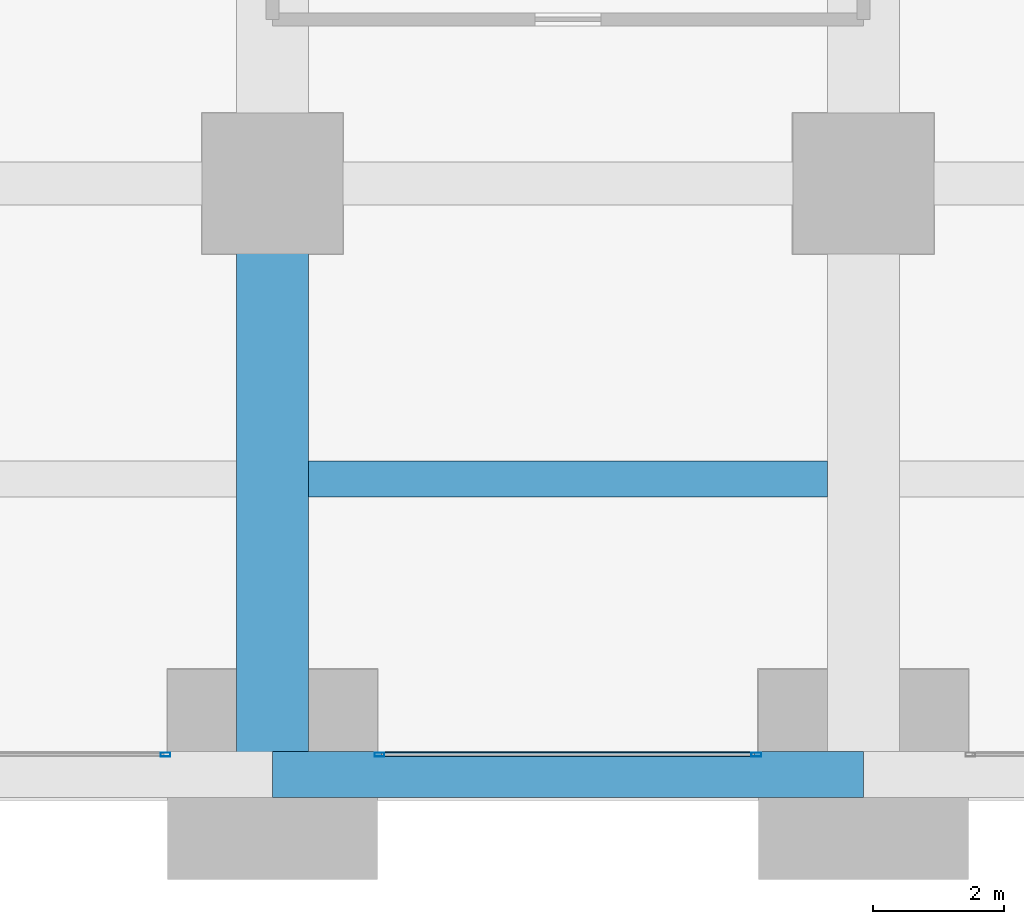
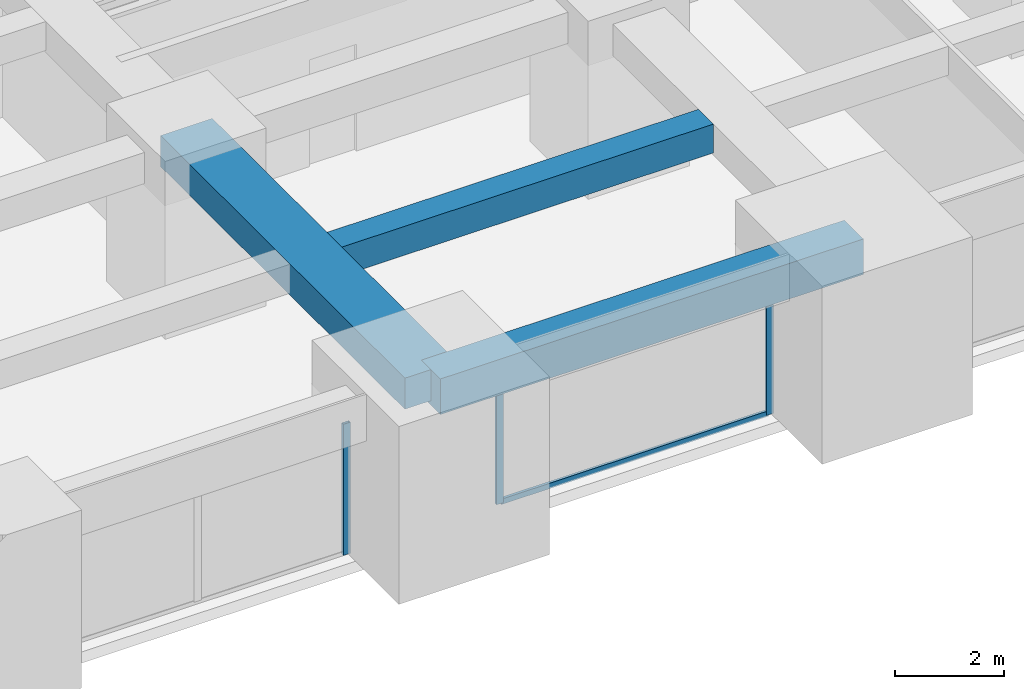
# One storey, part 6 of 41: 4 members, 3 beams, 2 elements without a shape of their own.
"""IFC4 building model written with IfcOpenShell, lengths in metres."""

from ifc_helpers import new_model, si_unit, direction, frame, origin, origin_2d, place, context, subcontext, project, spatial, rectangle, hollow_rectangle, extrude, material, material_profile, profile_set, type_object, element, aggregate, save


model = new_model("IFC4")

# Units and contexts
model_context = context("Model", 3, precision=1e-05, world=origin(), true_north=direction((0.0, 1.0)))
body_context = subcontext(model_context, "Body", "Model", "MODEL_VIEW")
ifc_project = project(units=[si_unit("LENGTHUNIT", "METRE"), si_unit("AREAUNIT", "SQUARE_METRE"), si_unit("VOLUMEUNIT", "CUBIC_METRE"), si_unit("PLANEANGLEUNIT", "RADIAN"), si_unit("MASSUNIT", "GRAM", prefix="KILO")], contexts=[model_context])

# Site, building, storey
site_placement = place(None, origin())
site = spatial("IfcSite", under=ifc_project, at=site_placement, CompositionType="ELEMENT")
building_placement = place(site_placement, origin())
building = spatial("IfcBuilding", under=site, at=building_placement, Name="Zorevar Civic Tower", CompositionType="ELEMENT")
storey_placement = place(building_placement, frame((0.0, 0.0, 89.0)))
storey = spatial("IfcBuildingStorey", under=building, at=storey_placement, Name="L21", CompositionType="ELEMENT", Elevation=89.0)

# Beams
ifc_material_1 = material(Name="Concrete C50/60", Category="concrete")
ifc_material_profile_1 = material_profile(ifc_material_1, rectangle(XDim=1.10009765625, YDim=0.699951171875, at=origin_2d()), Name="RC 1100x700")
ifc_profile_set_1 = profile_set([ifc_material_profile_1], Name="Concrete C50/60")
beam_type_1 = type_object("IfcBeamType", Name="Beam RC 1100x700", PredefinedType="BEAM", material=ifc_profile_set_1)
beam_1_placement = place(storey_placement, frame((18.0, 0.0, 3.39990234375), z_axis=(0.0, 1.0, 0.0), x_axis=(-1.0, 0.0, 0.0)))
element("IfcBeam", 1, at=beam_1_placement, inside=storey, type_object=beam_type_1, Name="Girder L22", PredefinedType="BEAM", context=body_context, shape_type="SweptSolid", body=[
    extrude(rectangle(XDim=1.10009765625, YDim=0.699951171875, at=origin_2d()), origin(), (0.0, 0.0, 1.0), 9.0),
])
ifc_material_2 = material(Name="Concrete C50/60", Category="concrete")
ifc_material_profile_2 = material_profile(ifc_material_2, rectangle(XDim=0.550048828125, YDim=0.64990234375, at=origin_2d()), Name="RC 550x650")
ifc_profile_set_2 = profile_set([ifc_material_profile_2], Name="Concrete C50/60")
beam_type_2 = type_object("IfcBeamType", Name="Beam RC 550x650", PredefinedType="BEAM", material=ifc_profile_set_2)
beam_2_placement = place(storey_placement, frame((18.550048828125, 4.5, 3.425048828125), z_axis=(1.0, 0.0, 0.0), x_axis=(0.0, 1.0, 0.0)))
element("IfcBeam", 2, at=beam_2_placement, inside=storey, type_object=beam_type_2, Name="Secondary beam L22", PredefinedType="BEAM", context=body_context, shape_type="SweptSolid", body=[
    extrude(rectangle(XDim=0.550048828125, YDim=0.64990234375, at=origin_2d()), origin(), (0.0, 0.0, 1.0), 7.89990234375),
])

# Curtain wall, member
ifc_material_3 = material(Name="Dark grey solar-control glass in black aluminium frame", Category="aluminium")
curtain_wall_type = type_object("IfcCurtainWallType", Name="Curtain wall CW3 mid zone", PredefinedType="NOTDEFINED", material=ifc_material_3)
curtain_wall_1_placement = place(storey_placement, origin())
curtain_wall_1 = element("IfcCurtainWall", 3, at=curtain_wall_1_placement, inside=storey, type_object=curtain_wall_type, Name="CW3 L21", PredefinedType="NOTDEFINED")
ifc_material_4 = material(Name="Aluminium, black anodised", Category="aluminium")
ifc_material_profile_3 = material_profile(ifc_material_4, hollow_rectangle(XDim=0.06005859375, YDim=0.14990234375, WallThickness=0.00390625, at=origin_2d()), Name="AL 150x60x4")
ifc_profile_set_3 = profile_set([ifc_material_profile_3], Name="Aluminium, black anodised")
member_type_1 = type_object("IfcMemberType", Name="CW3 mullion AL 150x60x4", PredefinedType="MULLION", material=ifc_profile_set_3)
member_1_placement = place(storey_placement, frame((16.3701171875, 0.300048828125, 0.0), z_axis=(0.0, 0.0, 1.0), x_axis=(0.0, 1.0, 0.0)))
member_1 = element("IfcMember", 4, at=member_1_placement, type_object=member_type_1, Name="CW3 mullion 3", PredefinedType="MULLION", context=body_context, shape_type="SweptSolid", body=[
    extrude(hollow_rectangle(XDim=0.06005859375, YDim=0.14990234375, WallThickness=0.00390625, at=origin_2d()), origin(), (0.0, 0.0, 1.0), 2.949951171875),
])
aggregate(curtain_wall_1, [member_1])

# Curtain wall, members
curtain_wall_2_placement = place(storey_placement, origin())
curtain_wall_2 = element("IfcCurtainWall", 5, at=curtain_wall_2_placement, inside=storey, type_object=curtain_wall_type, Name="CW3 L21", PredefinedType="NOTDEFINED")
member_2_placement = place(storey_placement, frame((19.6298828125, 0.300048828125, 0.0), z_axis=(0.0, 0.0, 1.0), x_axis=(0.0, 1.0, 0.0)))
member_2 = element("IfcMember", 6, at=member_2_placement, type_object=member_type_1, Name="CW3 mullion 1", PredefinedType="MULLION", context=body_context, shape_type="SweptSolid", body=[
    extrude(hollow_rectangle(XDim=0.06005859375, YDim=0.14990234375, WallThickness=0.00390625, at=origin_2d()), origin(), (0.0, 0.0, 1.0), 2.949951171875),
])
member_3_placement = place(storey_placement, frame((25.3701171875, 0.300048828125, 0.0), z_axis=(0.0, 0.0, 1.0), x_axis=(0.0, 1.0, 0.0)))
member_3 = element("IfcMember", 7, at=member_3_placement, type_object=member_type_1, Name="CW3 mullion 2", PredefinedType="MULLION", context=body_context, shape_type="SweptSolid", body=[
    extrude(hollow_rectangle(XDim=0.06005859375, YDim=0.14990234375, WallThickness=0.00390625, at=origin_2d()), origin(), (0.0, 0.0, 1.0), 2.949951171875),
])
ifc_material_5 = material(Name="Aluminium, black anodised", Category="aluminium")
ifc_material_profile_4 = material_profile(ifc_material_5, hollow_rectangle(XDim=0.06005859375, YDim=0.1201171875, WallThickness=0.0029296875, at=origin_2d()), Name="AL 120x60x3")
ifc_profile_set_4 = profile_set([ifc_material_profile_4], Name="Aluminium, black anodised")
member_type_2 = type_object("IfcMemberType", Name="CW3 transom AL 120x60x3", PredefinedType="USERDEFINED", material=ifc_profile_set_4)
member_4_placement = place(storey_placement, frame((19.659912109375, 0.300048828125, 0.030029296875), z_axis=(1.0, 0.0, 0.0), x_axis=(0.0, 1.0, 0.0)))
member_4 = element("IfcMember", 8, at=member_4_placement, type_object=member_type_2, Name="CW3 sill transom", ObjectType="TRANSOM", PredefinedType="USERDEFINED", context=body_context, shape_type="SweptSolid", body=[
    extrude(hollow_rectangle(XDim=0.06005859375, YDim=0.1201171875, WallThickness=0.0029296875, at=origin_2d()), origin(), (0.0, 0.0, 1.0), 5.68017578125),
])
aggregate(curtain_wall_2, [member_2, member_3, member_4])

# Beam
ifc_material_6 = material(Name="Concrete C50/60", Category="concrete")
ifc_material_profile_5 = material_profile(ifc_material_6, rectangle(XDim=0.699951171875, YDim=0.800048828125, at=origin_2d()), Name="RC 700x800")
ifc_profile_set_5 = profile_set([ifc_material_profile_5], Name="Concrete C50/60")
beam_type_3 = type_object("IfcBeamType", Name="Edge beam RC 700x800", PredefinedType="SPANDREL", material=ifc_profile_set_5)
beam_3_placement = place(storey_placement, frame((18.0, 0.0, 3.35009765625), z_axis=(1.0, 0.0, 0.0), x_axis=(0.0, 1.0, 0.0)))
element("IfcBeam", 9, at=beam_3_placement, inside=storey, type_object=beam_type_3, Name="Edge beam L22", PredefinedType="SPANDREL", context=body_context, shape_type="SweptSolid", body=[
    extrude(rectangle(XDim=0.699951171875, YDim=0.800048828125, at=origin_2d()), origin(), (0.0, 0.0, 1.0), 9.0),
])

save(model, "model.ifc")
